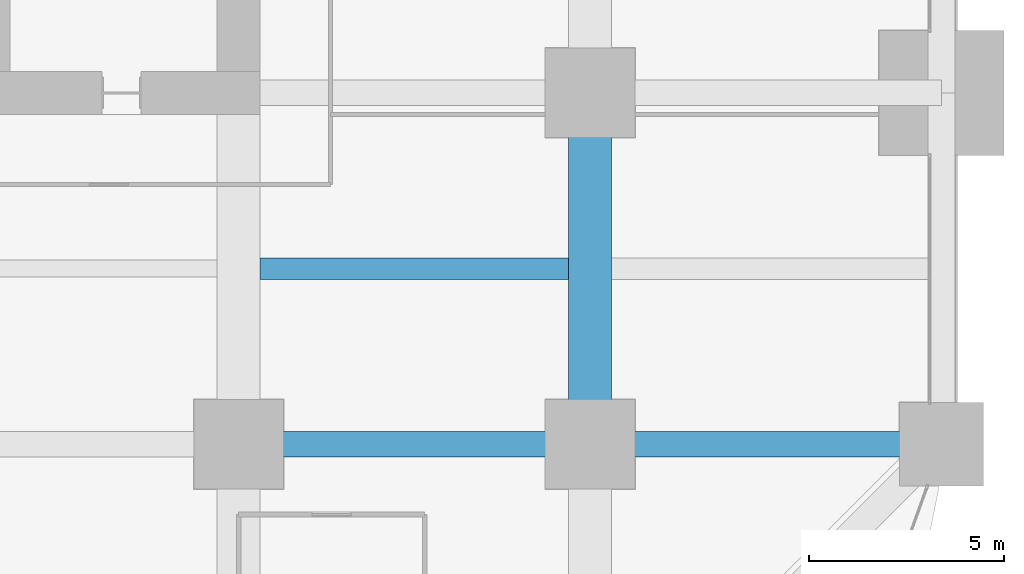
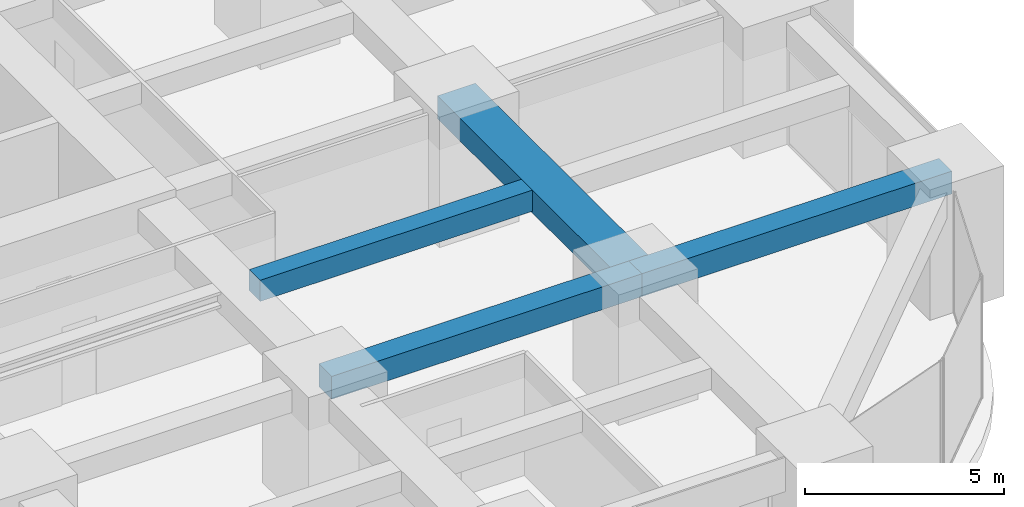
# One storey, part 18 of 50: 4 beams.
"""IFC4 building model written with IfcOpenShell, lengths in metres."""

from ifc_helpers import new_model, si_unit, direction, frame, origin, origin_2d, place, context, subcontext, project, spatial, rectangle, extrude, material, material_profile, profile_set, type_object, element, save


model = new_model("IFC4")

# Units and contexts
model_context = context("Model", 3, precision=1e-05, world=origin(), true_north=direction((0.0, 1.0)))
body_context = subcontext(model_context, "Body", "Model", "MODEL_VIEW")
ifc_project = project(units=[si_unit("LENGTHUNIT", "METRE"), si_unit("AREAUNIT", "SQUARE_METRE"), si_unit("VOLUMEUNIT", "CUBIC_METRE"), si_unit("PLANEANGLEUNIT", "RADIAN"), si_unit("MASSUNIT", "GRAM", prefix="KILO")], contexts=[model_context])

# Site, building, storey
site_placement = place(None, origin())
site = spatial("IfcSite", under=ifc_project, at=site_placement, CompositionType="ELEMENT")
building_placement = place(site_placement, origin())
building = spatial("IfcBuilding", under=site, at=building_placement, Name="Zorevar Civic Tower", CompositionType="ELEMENT")
storey_placement = place(building_placement, frame((0.0, 0.0, 85.0)))
storey = spatial("IfcBuildingStorey", under=building, at=storey_placement, Name="L20", CompositionType="ELEMENT", Elevation=85.0)

# Beams
ifc_material_1 = material(Name="Concrete C50/60", Category="concrete")
ifc_material_profile_1 = material_profile(ifc_material_1, rectangle(XDim=1.10009765625, YDim=0.699951171875, at=origin_2d()), Name="RC 1100x700")
ifc_profile_set_1 = profile_set([ifc_material_profile_1], Name="Concrete C50/60")
beam_type_1 = type_object("IfcBeamType", Name="Beam RC 1100x700", PredefinedType="BEAM", material=ifc_profile_set_1)
beam_1_placement = place(storey_placement, frame((54.0, 9.0, 3.39990234375), z_axis=(0.0, 1.0, 0.0), x_axis=(-1.0, 0.0, 0.0)))
element("IfcBeam", 1, at=beam_1_placement, inside=storey, type_object=beam_type_1, Name="Girder L21", PredefinedType="BEAM", context=body_context, shape_type="SweptSolid", body=[
    extrude(rectangle(XDim=1.10009765625, YDim=0.699951171875, at=origin_2d()), origin(), (0.0, 0.0, 1.0), 9.0),
])
ifc_material_2 = material(Name="Concrete C50/60", Category="concrete")
ifc_material_profile_2 = material_profile(ifc_material_2, rectangle(XDim=0.550048828125, YDim=0.64990234375, at=origin_2d()), Name="RC 550x650")
ifc_profile_set_2 = profile_set([ifc_material_profile_2], Name="Concrete C50/60")
beam_type_2 = type_object("IfcBeamType", Name="Beam RC 550x650", PredefinedType="BEAM", material=ifc_profile_set_2)
beam_2_placement = place(storey_placement, frame((45.550048828125, 13.5, 3.425048828125), z_axis=(1.0, 0.0, 0.0), x_axis=(0.0, 1.0, 0.0)))
element("IfcBeam", 2, at=beam_2_placement, inside=storey, type_object=beam_type_2, Name="Secondary beam L21", PredefinedType="BEAM", context=body_context, shape_type="SweptSolid", body=[
    extrude(rectangle(XDim=0.550048828125, YDim=0.64990234375, at=origin_2d()), origin(), (0.0, 0.0, 1.0), 7.89990234375),
])
ifc_material_3 = material(Name="Concrete C50/60", Category="concrete")
ifc_material_profile_3 = material_profile(ifc_material_3, rectangle(XDim=0.64990234375, YDim=0.699951171875, at=origin_2d()), Name="RC 650x700")
ifc_profile_set_3 = profile_set([ifc_material_profile_3], Name="Concrete C50/60")
beam_type_3 = type_object("IfcBeamType", Name="Beam RC 650x700", PredefinedType="BEAM", material=ifc_profile_set_3)
for number, where, z_axis, x_axis, name in (
    (3, (45.0, 9.0, 3.39990234375), (1.0, 0.0, 0.0), (0.0, 1.0, 0.0), "Girder L21"),
    (4, (54.0, 9.0, 3.39990234375), (1.0, 0.0, 0.0), (0.0, 1.0, 0.0), "Girder L21"),
):
    element("IfcBeam", number, at=place(storey_placement, frame(where, z_axis=z_axis, x_axis=x_axis)), inside=storey, type_object=beam_type_3, Name=name, PredefinedType="BEAM", context=body_context, shape_type="SweptSolid", body=[
        extrude(rectangle(XDim=0.64990234375, YDim=0.699951171875, at=origin_2d()), origin(), (0.0, 0.0, 1.0), 9.0),
    ])

save(model, "model.ifc")
